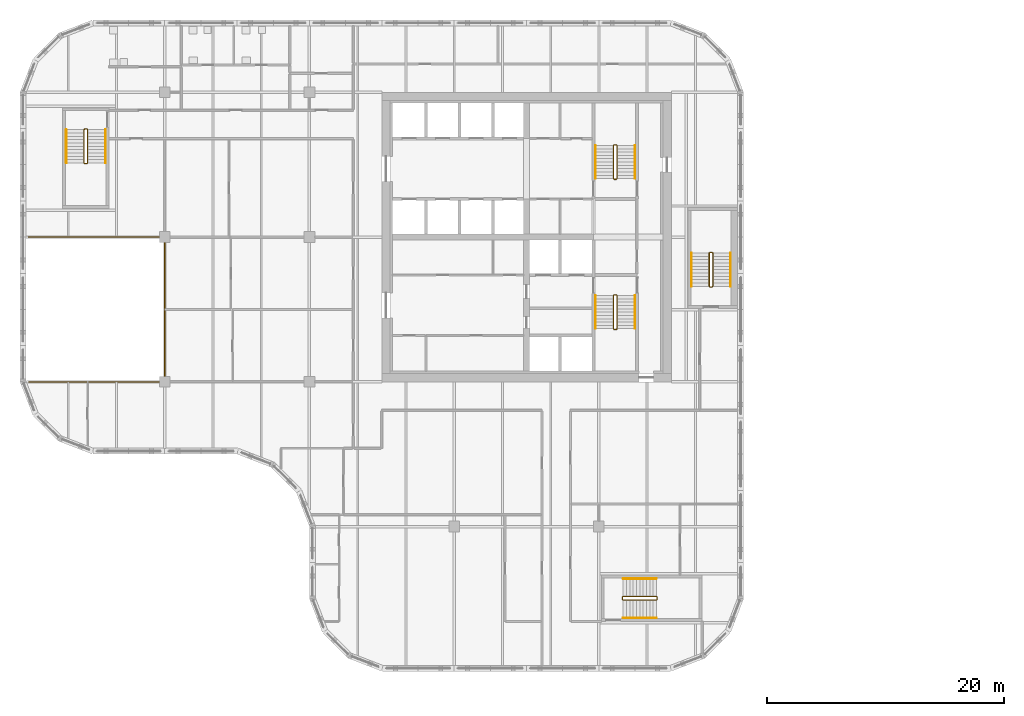
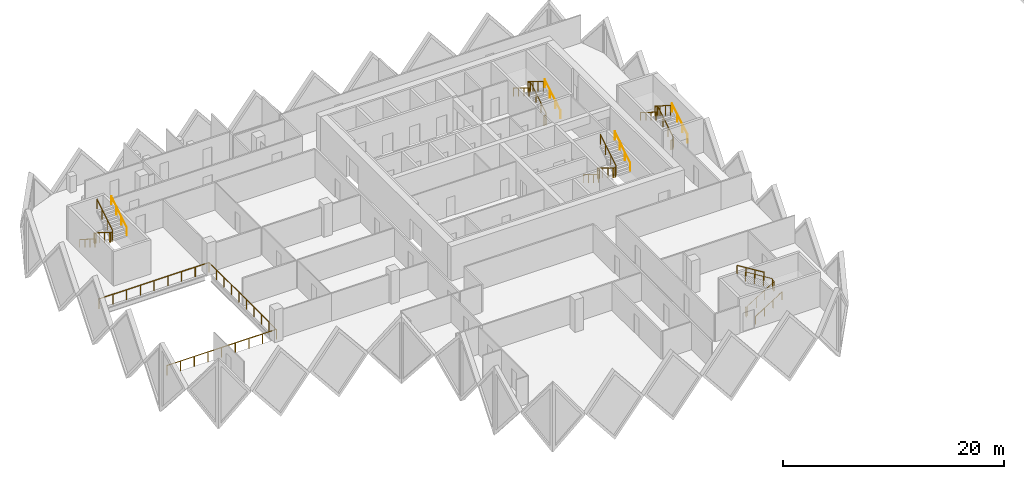
# One storey, part 12 of 13: 16 railings.
"""IFC4 building model written with IfcOpenShell, lengths in metres."""

from ifc_helpers import new_model, si_unit, direction, frame, origin, origin_2d, place, context, subcontext, project, spatial, circle, extrude, material, type_object, element, save


model = new_model("IFC4")

# Units and contexts
model_context = context("Model", 3, precision=1e-05, world=origin(), true_north=direction((0.0, 1.0)))
body_context = subcontext(model_context, "Body", "Model", "MODEL_VIEW")
ifc_project = project(units=[si_unit("LENGTHUNIT", "METRE"), si_unit("AREAUNIT", "SQUARE_METRE"), si_unit("VOLUMEUNIT", "CUBIC_METRE"), si_unit("PLANEANGLEUNIT", "RADIAN"), si_unit("MASSUNIT", "GRAM", prefix="KILO")], contexts=[model_context])

# Site, building, storey
site_placement = place(None, origin())
site = spatial("IfcSite", under=ifc_project, at=site_placement, CompositionType="ELEMENT")
building_placement = place(site_placement, origin())
building = spatial("IfcBuilding", under=site, at=building_placement, Name="Tessera Gate Towers", CompositionType="ELEMENT")
storey_placement = place(building_placement, frame((0.0, 0.0, 116.39990234375)))
storey = spatial("IfcBuildingStorey", under=building, at=storey_placement, Name="L28", CompositionType="ELEMENT", Elevation=116.39990234375)

# Railings
ifc_material_1 = material(Name="Toughened glass with stainless steel handrail", Category="steel")
railing_type_1 = type_object("IfcRailingType", Name="GUARD 1100 GLASS BALUSTRADE", PredefinedType="GUARDRAIL", material=ifc_material_1)
railing_1_placement = place(storey_placement, frame((0.750244140625, 24.39990234375, 0.0)))
element("IfcRailing", 1, at=railing_1_placement, inside=storey, type_object=railing_type_1, Name="Guard", PredefinedType="GUARDRAIL", context=body_context, shape_type="SweptSolid", body=[
    extrude(circle(Radius=0.02490234375, at=origin_2d()), frame((0.0, 0.0, 1.0751953125), z_axis=(1.0, 0.0, 0.0), x_axis=(0.0, 1.0, 0.0)), (0.0, 0.0, 1.0), 11.44970703125),
    extrude(circle(Radius=0.02490234375, at=origin_2d()), frame((11.44970703125, 0.0, 1.0751953125), z_axis=(0.0, 1.0, 0.0), x_axis=(-1.0, 0.0, 0.0)), (0.0, 0.0, 1.0), 12.2001953125),
    extrude(circle(Radius=0.02490234375, at=origin_2d()), frame((11.44970703125, 12.2001953125, 1.0751953125), z_axis=(-1.0, 0.0, 0.0), x_axis=(0.0, -1.0, 0.0)), (0.0, 0.0, 1.0), 11.5),
    extrude(circle(Radius=0.02490234375, at=origin_2d()), origin(), (0.0, 0.0, 1.0), 1.050048828125),
    extrude(circle(Radius=0.02490234375, at=origin_2d()), frame((1.43115234375, 0.0, 0.0)), (0.0, 0.0, 1.0), 1.050048828125),
    extrude(circle(Radius=0.02490234375, at=origin_2d()), frame((2.8623046875, 0.0, 0.0)), (0.0, 0.0, 1.0), 1.050048828125),
    extrude(circle(Radius=0.02490234375, at=origin_2d()), frame((4.293701171875, 0.0, 0.0)), (0.0, 0.0, 1.0), 1.050048828125),
    extrude(circle(Radius=0.02490234375, at=origin_2d()), frame((5.724853515625, 0.0, 0.0)), (0.0, 0.0, 1.0), 1.050048828125),
    extrude(circle(Radius=0.02490234375, at=origin_2d()), frame((7.156005859375, 0.0, 0.0)), (0.0, 0.0, 1.0), 1.050048828125),
    extrude(circle(Radius=0.02490234375, at=origin_2d()), frame((8.58740234375, 0.0, 0.0)), (0.0, 0.0, 1.0), 1.050048828125),
    extrude(circle(Radius=0.02490234375, at=origin_2d()), frame((10.0185546875, 0.0, 0.0)), (0.0, 0.0, 1.0), 1.050048828125),
    extrude(circle(Radius=0.02490234375, at=origin_2d()), frame((11.44970703125, 0.0, 0.0)), (0.0, 0.0, 1.0), 1.050048828125),
    extrude(circle(Radius=0.02490234375, at=origin_2d()), frame((11.44970703125, 1.35546875, 0.0)), (0.0, 0.0, 1.0), 1.050048828125),
    extrude(circle(Radius=0.02490234375, at=origin_2d()), frame((11.44970703125, 2.711181640625, 0.0)), (0.0, 0.0, 1.0), 1.050048828125),
    extrude(circle(Radius=0.02490234375, at=origin_2d()), frame((11.44970703125, 4.066650390625, 0.0)), (0.0, 0.0, 1.0), 1.050048828125),
    extrude(circle(Radius=0.02490234375, at=origin_2d()), frame((11.44970703125, 5.42236328125, 0.0)), (0.0, 0.0, 1.0), 1.050048828125),
    extrude(circle(Radius=0.02490234375, at=origin_2d()), frame((11.44970703125, 6.77783203125, 0.0)), (0.0, 0.0, 1.0), 1.050048828125),
    extrude(circle(Radius=0.02490234375, at=origin_2d()), frame((11.44970703125, 8.133544921875, 0.0)), (0.0, 0.0, 1.0), 1.050048828125),
    extrude(circle(Radius=0.02490234375, at=origin_2d()), frame((11.44970703125, 9.489013671875, 0.0)), (0.0, 0.0, 1.0), 1.050048828125),
    extrude(circle(Radius=0.02490234375, at=origin_2d()), frame((11.44970703125, 10.8447265625, 0.0)), (0.0, 0.0, 1.0), 1.050048828125),
    extrude(circle(Radius=0.02490234375, at=origin_2d()), frame((11.44970703125, 12.2001953125, 0.0)), (0.0, 0.0, 1.0), 1.050048828125),
    extrude(circle(Radius=0.02490234375, at=origin_2d()), frame((10.01220703125, 12.2001953125, 0.0)), (0.0, 0.0, 1.0), 1.050048828125),
    extrude(circle(Radius=0.02490234375, at=origin_2d()), frame((8.57470703125, 12.2001953125, 0.0)), (0.0, 0.0, 1.0), 1.050048828125),
    extrude(circle(Radius=0.02490234375, at=origin_2d()), frame((7.13720703125, 12.2001953125, 0.0)), (0.0, 0.0, 1.0), 1.050048828125),
    extrude(circle(Radius=0.02490234375, at=origin_2d()), frame((5.69970703125, 12.2001953125, 0.0)), (0.0, 0.0, 1.0), 1.050048828125),
    extrude(circle(Radius=0.02490234375, at=origin_2d()), frame((4.26220703125, 12.2001953125, 0.0)), (0.0, 0.0, 1.0), 1.050048828125),
    extrude(circle(Radius=0.02490234375, at=origin_2d()), frame((2.82470703125, 12.2001953125, 0.0)), (0.0, 0.0, 1.0), 1.050048828125),
    extrude(circle(Radius=0.02490234375, at=origin_2d()), frame((1.38720703125, 12.2001953125, 0.0)), (0.0, 0.0, 1.0), 1.050048828125),
    extrude(circle(Radius=0.02490234375, at=origin_2d()), frame((-0.05029296875, 12.2001953125, 0.0)), (0.0, 0.0, 1.0), 1.050048828125),
])
ifc_material_2 = material(Name="Steel 350W", Category="steel")
railing_type_2 = type_object("IfcRailingType", Name="STAIR GUARD 1100", PredefinedType="GUARDRAIL", material=ifc_material_2)
railing_2_placement = place(storey_placement, frame((50.27490234375, 31.72509765625, 0.0)))
element("IfcRailing", 2, at=railing_2_placement, inside=storey, type_object=railing_type_2, Name="L28 ST1 stair guard 1", PredefinedType="GUARDRAIL", context=body_context, shape_type="SweptSolid", body=[
    extrude(circle(Radius=0.02392578125, at=origin_2d()), frame((0.0, 0.0, 1.076171875), z_axis=(-1.0, 0.0, 0.0), x_axis=(0.0, -1.0, 0.0)), (0.0, 0.0, 1.0), 0.199951171875),
    extrude(circle(Radius=0.02392578125, at=origin_2d()), frame((-0.199951171875, 0.0, 1.076171875), z_axis=(-0.267953482034, -0.267953482034, 0.925419830635), x_axis=(0.707106781187, -0.707106781187, 0.0)), (0.0, 0.0, 1.0), 0.186767578125),
    extrude(circle(Radius=0.02392578125, at=origin_2d()), frame((-0.25, -0.050048828125, 1.2490234375), z_axis=(0.0, -0.851089632645, 0.525020415988), x_axis=(1.0, 0.0, 0.0)), (0.0, 0.0, 1.0), 3.2900390625),
    extrude(circle(Radius=0.02392578125, at=origin_2d()), frame((-0.25, -2.85009765625, 2.97607421875), z_axis=(0.707106781187, -0.707106781187, 0.0), x_axis=(0.707106781187, 0.707106781187, 0.0)), (0.0, 0.0, 1.0), 0.07080078125),
    extrude(circle(Radius=0.02392578125, at=origin_2d()), frame((-0.199951171875, -2.900146484375, 2.97607421875), z_axis=(1.0, 0.0, 0.0), x_axis=(0.0, 1.0, 0.0)), (0.0, 0.0, 1.0), 0.199951171875),
    extrude(circle(Radius=0.02392578125, at=origin_2d()), frame((0.0, -2.900146484375, 2.97607421875), z_axis=(0.268277960024, 0.268277960024, 0.925231793839), x_axis=(-0.707106781187, 0.707106781187, 0.0)), (0.0, 0.0, 1.0), 0.1865234375),
    extrude(circle(Radius=0.02392578125, at=origin_2d()), frame((0.050048828125, -2.85009765625, 3.14892578125), z_axis=(0.0, 0.851089632645, 0.525020415988), x_axis=(-1.0, 0.0, 0.0)), (0.0, 0.0, 1.0), 3.2900390625),
    extrude(circle(Radius=0.02099609375, at=origin_2d()), origin(), (0.0, 0.0, 1.0), 1.052001953125),
    extrude(circle(Radius=0.02099609375, at=origin_2d()), frame((-0.199951171875, 0.0, 0.0)), (0.0, 0.0, 1.0), 1.052001953125),
    extrude(circle(Radius=0.02099609375, at=origin_2d()), frame((-0.25, -0.050048828125, 0.1728515625)), (0.0, 0.0, 1.0), 1.052001953125),
    extrude(circle(Radius=0.02099609375, at=origin_2d()), frame((-0.25, -0.9833984375, 0.74853515625)), (0.0, 0.0, 1.0), 1.052001953125),
    extrude(circle(Radius=0.02099609375, at=origin_2d()), frame((-0.25, -1.916748046875, 1.324462890625)), (0.0, 0.0, 1.0), 1.052001953125),
    extrude(circle(Radius=0.02099609375, at=origin_2d()), frame((-0.25, -2.85009765625, 1.900146484375)), (0.0, 0.0, 1.0), 1.052001953125),
    extrude(circle(Radius=0.02099609375, at=origin_2d()), frame((-0.199951171875, -2.900146484375, 1.900146484375)), (0.0, 0.0, 1.0), 1.052001953125),
    extrude(circle(Radius=0.02099609375, at=origin_2d()), frame((0.0, -2.900146484375, 1.900146484375)), (0.0, 0.0, 1.0), 1.052001953125),
    extrude(circle(Radius=0.02099609375, at=origin_2d()), frame((0.050048828125, -2.85009765625, 2.07275390625)), (0.0, 0.0, 1.0), 1.052001953125),
    extrude(circle(Radius=0.02099609375, at=origin_2d()), frame((0.050048828125, -1.916748046875, 2.6484375)), (0.0, 0.0, 1.0), 1.052001953125),
    extrude(circle(Radius=0.02099609375, at=origin_2d()), frame((0.050048828125, -0.9833984375, 3.224365234375)), (0.0, 0.0, 1.0), 1.052001953125),
    extrude(circle(Radius=0.02099609375, at=origin_2d()), frame((0.050048828125, -0.050048828125, 3.800048828125)), (0.0, 0.0, 1.0), 1.052001953125),
])
railing_3_placement = place(storey_placement, frame((50.074951171875, 41.47509765625, 0.0)))
element("IfcRailing", 3, at=railing_3_placement, inside=storey, type_object=railing_type_2, Name="L28 ST2 stair guard 1", PredefinedType="GUARDRAIL", context=body_context, shape_type="SweptSolid", body=[
    extrude(circle(Radius=0.02392578125, at=origin_2d()), frame((0.0, 0.0, 1.076171875), z_axis=(1.0, 0.0, 0.0), x_axis=(0.0, 1.0, 0.0)), (0.0, 0.0, 1.0), 0.199951171875),
    extrude(circle(Radius=0.02392578125, at=origin_2d()), frame((0.199951171875, 0.0, 1.076171875), z_axis=(0.268047150085, 0.266739603011, 0.925743328097), x_axis=(-0.705375805398, 0.708833529934, 0.0)), (0.0, 0.0, 1.0), 0.186767578125),
    extrude(circle(Radius=0.02392578125, at=origin_2d()), frame((0.25, 0.0498046875, 1.2490234375), z_axis=(0.0, 0.851089632645, 0.525020415988), x_axis=(-1.0, 0.0, 0.0)), (0.0, 0.0, 1.0), 3.2900390625),
    extrude(circle(Radius=0.02392578125, at=origin_2d()), frame((0.25, 2.849853515625, 2.97607421875), z_axis=(-0.707106781187, 0.707106781187, 0.0), x_axis=(-0.707106781187, -0.707106781187, 0.0)), (0.0, 0.0, 1.0), 0.07080078125),
    extrude(circle(Radius=0.02392578125, at=origin_2d()), frame((0.199951171875, 2.89990234375, 2.97607421875), z_axis=(-1.0, 0.0, 0.0), x_axis=(0.0, -1.0, 0.0)), (0.0, 0.0, 1.0), 0.199951171875),
    extrude(circle(Radius=0.02392578125, at=origin_2d()), frame((0.0, 2.89990234375, 2.97607421875), z_axis=(-0.268277960024, -0.268277960024, 0.925231793839), x_axis=(0.707106781187, -0.707106781187, 0.0)), (0.0, 0.0, 1.0), 0.1865234375),
    extrude(circle(Radius=0.02392578125, at=origin_2d()), frame((-0.050048828125, 2.849853515625, 3.14892578125), z_axis=(0.0, -0.851089632645, 0.525020415988), x_axis=(1.0, 0.0, 0.0)), (0.0, 0.0, 1.0), 3.2900390625),
    extrude(circle(Radius=0.02099609375, at=origin_2d()), origin(), (0.0, 0.0, 1.0), 1.052001953125),
    extrude(circle(Radius=0.02099609375, at=origin_2d()), frame((0.199951171875, 0.0, 0.0)), (0.0, 0.0, 1.0), 1.052001953125),
    extrude(circle(Radius=0.02099609375, at=origin_2d()), frame((0.25, 0.0498046875, 0.1728515625)), (0.0, 0.0, 1.0), 1.052001953125),
    extrude(circle(Radius=0.02099609375, at=origin_2d()), frame((0.25, 0.983154296875, 0.74853515625)), (0.0, 0.0, 1.0), 1.052001953125),
    extrude(circle(Radius=0.02099609375, at=origin_2d()), frame((0.25, 1.91650390625, 1.324462890625)), (0.0, 0.0, 1.0), 1.052001953125),
    extrude(circle(Radius=0.02099609375, at=origin_2d()), frame((0.25, 2.849853515625, 1.900146484375)), (0.0, 0.0, 1.0), 1.052001953125),
    extrude(circle(Radius=0.02099609375, at=origin_2d()), frame((0.199951171875, 2.89990234375, 1.900146484375)), (0.0, 0.0, 1.0), 1.052001953125),
    extrude(circle(Radius=0.02099609375, at=origin_2d()), frame((0.0, 2.89990234375, 1.900146484375)), (0.0, 0.0, 1.0), 1.052001953125),
    extrude(circle(Radius=0.02099609375, at=origin_2d()), frame((-0.050048828125, 2.849853515625, 2.07275390625)), (0.0, 0.0, 1.0), 1.052001953125),
    extrude(circle(Radius=0.02099609375, at=origin_2d()), frame((-0.050048828125, 1.91650390625, 2.6484375)), (0.0, 0.0, 1.0), 1.052001953125),
    extrude(circle(Radius=0.02099609375, at=origin_2d()), frame((-0.050048828125, 0.983154296875, 3.224365234375)), (0.0, 0.0, 1.0), 1.052001953125),
    extrude(circle(Radius=0.02099609375, at=origin_2d()), frame((-0.050048828125, 0.0498046875, 3.800048828125)), (0.0, 0.0, 1.0), 1.052001953125),
])
railing_4_placement = place(storey_placement, frame((5.64990234375, 45.699951171875, 0.0)))
element("IfcRailing", 4, at=railing_4_placement, inside=storey, type_object=railing_type_2, Name="L28 ST3 stair guard 1", PredefinedType="GUARDRAIL", context=body_context, shape_type="SweptSolid", body=[
    extrude(circle(Radius=0.02392578125, at=origin_2d()), frame((0.0, 0.0, 1.076171875), z_axis=(-1.0, 0.0, 0.0), x_axis=(0.0, -1.0, 0.0)), (0.0, 0.0, 1.0), 0.199951171875),
    extrude(circle(Radius=0.02392578125, at=origin_2d()), frame((-0.199951171875, 0.0, 1.076171875), z_axis=(-0.267953482034, -0.267953482034, 0.925419830635), x_axis=(0.707106781187, -0.707106781187, 0.0)), (0.0, 0.0, 1.0), 0.186767578125),
    extrude(circle(Radius=0.02392578125, at=origin_2d()), frame((-0.25, -0.050048828125, 1.2490234375), z_axis=(0.0, -0.851069175582, 0.525053576669), x_axis=(1.0, 0.0, 0.0)), (0.0, 0.0, 1.0), 3.289794921875),
    extrude(circle(Radius=0.02392578125, at=origin_2d()), frame((-0.25, -2.849853515625, 2.97607421875), z_axis=(0.707106781187, -0.707106781187, 0.0), x_axis=(0.707106781187, 0.707106781187, 0.0)), (0.0, 0.0, 1.0), 0.07080078125),
    extrude(circle(Radius=0.02392578125, at=origin_2d()), frame((-0.199951171875, -2.89990234375, 2.97607421875), z_axis=(1.0, 0.0, 0.0), x_axis=(0.0, 1.0, 0.0)), (0.0, 0.0, 1.0), 0.199951171875),
    extrude(circle(Radius=0.02392578125, at=origin_2d()), frame((0.0, -2.89990234375, 2.97607421875), z_axis=(0.268277960024, 0.268277960024, 0.925231793839), x_axis=(-0.707106781187, 0.707106781187, 0.0)), (0.0, 0.0, 1.0), 0.1865234375),
    extrude(circle(Radius=0.02392578125, at=origin_2d()), frame((0.050048828125, -2.849853515625, 3.14892578125), z_axis=(0.0, 0.851069175582, 0.525053576669), x_axis=(-1.0, 0.0, 0.0)), (0.0, 0.0, 1.0), 3.289794921875),
    extrude(circle(Radius=0.02099609375, at=origin_2d()), origin(), (0.0, 0.0, 1.0), 1.052001953125),
    extrude(circle(Radius=0.02099609375, at=origin_2d()), frame((-0.199951171875, 0.0, 0.0)), (0.0, 0.0, 1.0), 1.052001953125),
    extrude(circle(Radius=0.02099609375, at=origin_2d()), frame((-0.25, -0.050048828125, 0.1728515625)), (0.0, 0.0, 1.0), 1.052001953125),
    extrude(circle(Radius=0.02099609375, at=origin_2d()), frame((-0.25, -0.9833984375, 0.74853515625)), (0.0, 0.0, 1.0), 1.052001953125),
    extrude(circle(Radius=0.02099609375, at=origin_2d()), frame((-0.25, -1.91650390625, 1.324462890625)), (0.0, 0.0, 1.0), 1.052001953125),
    extrude(circle(Radius=0.02099609375, at=origin_2d()), frame((-0.25, -2.849853515625, 1.900146484375)), (0.0, 0.0, 1.0), 1.052001953125),
    extrude(circle(Radius=0.02099609375, at=origin_2d()), frame((-0.199951171875, -2.89990234375, 1.900146484375)), (0.0, 0.0, 1.0), 1.052001953125),
    extrude(circle(Radius=0.02099609375, at=origin_2d()), frame((0.0, -2.89990234375, 1.900146484375)), (0.0, 0.0, 1.0), 1.052001953125),
    extrude(circle(Radius=0.02099609375, at=origin_2d()), frame((0.050048828125, -2.849853515625, 2.07275390625)), (0.0, 0.0, 1.0), 1.052001953125),
    extrude(circle(Radius=0.02099609375, at=origin_2d()), frame((0.050048828125, -1.91650390625, 2.6484375)), (0.0, 0.0, 1.0), 1.052001953125),
    extrude(circle(Radius=0.02099609375, at=origin_2d()), frame((0.050048828125, -0.9833984375, 3.224365234375)), (0.0, 0.0, 1.0), 1.052001953125),
    extrude(circle(Radius=0.02099609375, at=origin_2d()), frame((0.050048828125, -0.050048828125, 3.800048828125)), (0.0, 0.0, 1.0), 1.052001953125),
])
railing_5_placement = place(storey_placement, frame((50.800048828125, 6.25, 0.0)))
element("IfcRailing", 5, at=railing_5_placement, inside=storey, type_object=railing_type_2, Name="L28 ST4 stair guard 1", PredefinedType="GUARDRAIL", context=body_context, shape_type="SweptSolid", body=[
    extrude(circle(Radius=0.02392578125, at=origin_2d()), frame((0.0, 0.0, 1.076171875), z_axis=(0.0, -1.0, 0.0), x_axis=(1.0, 0.0, 0.0)), (0.0, 0.0, 1.0), 0.199951171875),
    extrude(circle(Radius=0.02392578125, at=origin_2d()), frame((0.0, -0.199951171875, 1.076171875), z_axis=(0.267953482034, -0.267953482034, 0.925419830635), x_axis=(0.707106781187, 0.707106781187, 0.0)), (0.0, 0.0, 1.0), 0.186767578125),
    extrude(circle(Radius=0.02392578125, at=origin_2d()), frame((0.050048828125, -0.25, 1.2490234375), z_axis=(0.851069175582, 0.0, 0.525053576669), x_axis=(0.0, 1.0, 0.0)), (0.0, 0.0, 1.0), 3.289794921875),
    extrude(circle(Radius=0.02392578125, at=origin_2d()), frame((2.849853515625, -0.25, 2.97607421875), z_axis=(0.707106781187, 0.707106781187, 0.0), x_axis=(-0.707106781187, 0.707106781187, 0.0)), (0.0, 0.0, 1.0), 0.07080078125),
    extrude(circle(Radius=0.02392578125, at=origin_2d()), frame((2.89990234375, -0.199951171875, 2.97607421875), z_axis=(0.0, 1.0, 0.0), x_axis=(-1.0, 0.0, 0.0)), (0.0, 0.0, 1.0), 0.199951171875),
    extrude(circle(Radius=0.02392578125, at=origin_2d()), frame((2.89990234375, 0.0, 2.97607421875), z_axis=(-0.268277960024, 0.268277960024, 0.925231793839), x_axis=(-0.707106781187, -0.707106781187, 0.0)), (0.0, 0.0, 1.0), 0.1865234375),
    extrude(circle(Radius=0.02392578125, at=origin_2d()), frame((2.849853515625, 0.050048828125, 3.14892578125), z_axis=(-0.851069175582, 0.0, 0.525053576669), x_axis=(0.0, -1.0, 0.0)), (0.0, 0.0, 1.0), 3.289794921875),
    extrude(circle(Radius=0.02099609375, at=origin_2d()), origin(), (0.0, 0.0, 1.0), 1.052001953125),
    extrude(circle(Radius=0.02099609375, at=origin_2d()), frame((0.0, -0.199951171875, 0.0)), (0.0, 0.0, 1.0), 1.052001953125),
    extrude(circle(Radius=0.02099609375, at=origin_2d()), frame((0.050048828125, -0.25, 0.1728515625)), (0.0, 0.0, 1.0), 1.052001953125),
    extrude(circle(Radius=0.02099609375, at=origin_2d()), frame((0.9833984375, -0.25, 0.74853515625)), (0.0, 0.0, 1.0), 1.052001953125),
    extrude(circle(Radius=0.02099609375, at=origin_2d()), frame((1.91650390625, -0.25, 1.324462890625)), (0.0, 0.0, 1.0), 1.052001953125),
    extrude(circle(Radius=0.02099609375, at=origin_2d()), frame((2.849853515625, -0.25, 1.900146484375)), (0.0, 0.0, 1.0), 1.052001953125),
    extrude(circle(Radius=0.02099609375, at=origin_2d()), frame((2.89990234375, -0.199951171875, 1.900146484375)), (0.0, 0.0, 1.0), 1.052001953125),
    extrude(circle(Radius=0.02099609375, at=origin_2d()), frame((2.89990234375, 0.0, 1.900146484375)), (0.0, 0.0, 1.0), 1.052001953125),
    extrude(circle(Radius=0.02099609375, at=origin_2d()), frame((2.849853515625, 0.050048828125, 2.07275390625)), (0.0, 0.0, 1.0), 1.052001953125),
    extrude(circle(Radius=0.02099609375, at=origin_2d()), frame((1.91650390625, 0.050048828125, 2.6484375)), (0.0, 0.0, 1.0), 1.052001953125),
    extrude(circle(Radius=0.02099609375, at=origin_2d()), frame((0.9833984375, 0.050048828125, 3.224365234375)), (0.0, 0.0, 1.0), 1.052001953125),
    extrude(circle(Radius=0.02099609375, at=origin_2d()), frame((0.050048828125, 0.050048828125, 3.800048828125)), (0.0, 0.0, 1.0), 1.052001953125),
])
railing_6_placement = place(storey_placement, frame((58.14990234375, 32.39990234375, 0.0)))
element("IfcRailing", 6, at=railing_6_placement, inside=storey, type_object=railing_type_2, Name="L28 ST5 stair guard 1", PredefinedType="GUARDRAIL", context=body_context, shape_type="SweptSolid", body=[
    extrude(circle(Radius=0.02392578125, at=origin_2d()), frame((0.0, 0.0, 1.076171875), z_axis=(1.0, 0.0, 0.0), x_axis=(0.0, 1.0, 0.0)), (0.0, 0.0, 1.0), 0.2001953125),
    extrude(circle(Radius=0.02392578125, at=origin_2d()), frame((0.2001953125, 0.0, 1.076171875), z_axis=(0.266739603011, 0.268047150085, 0.925743328097), x_axis=(-0.708833529934, 0.705375805398, 0.0)), (0.0, 0.0, 1.0), 0.186767578125),
    extrude(circle(Radius=0.02392578125, at=origin_2d()), frame((0.25, 0.050048828125, 1.2490234375), z_axis=(0.0, 0.851089632645, 0.525020415988), x_axis=(-1.0, 0.0, 0.0)), (0.0, 0.0, 1.0), 3.2900390625),
    extrude(circle(Radius=0.02392578125, at=origin_2d()), frame((0.25, 2.85009765625, 2.97607421875), z_axis=(-0.705375805398, 0.708833529934, 0.0), x_axis=(-0.708833529934, -0.705375805398, 0.0)), (0.0, 0.0, 1.0), 0.070556640625),
    extrude(circle(Radius=0.02392578125, at=origin_2d()), frame((0.2001953125, 2.900146484375, 2.97607421875), z_axis=(-1.0, 0.0, 0.0), x_axis=(0.0, -1.0, 0.0)), (0.0, 0.0, 1.0), 0.2001953125),
    extrude(circle(Radius=0.02392578125, at=origin_2d()), frame((0.0, 2.900146484375, 2.97607421875), z_axis=(-0.267062837333, -0.268371968888, 0.925556009775), x_axis=(0.708833529934, -0.705375805398, 0.0)), (0.0, 0.0, 1.0), 0.1865234375),
    extrude(circle(Radius=0.02392578125, at=origin_2d()), frame((-0.0498046875, 2.85009765625, 3.14892578125), z_axis=(0.0, -0.851089632645, 0.525020415988), x_axis=(1.0, 0.0, 0.0)), (0.0, 0.0, 1.0), 3.2900390625),
    extrude(circle(Radius=0.02099609375, at=origin_2d()), origin(), (0.0, 0.0, 1.0), 1.052001953125),
    extrude(circle(Radius=0.02099609375, at=origin_2d()), frame((0.2001953125, 0.0, 0.0)), (0.0, 0.0, 1.0), 1.052001953125),
    extrude(circle(Radius=0.02099609375, at=origin_2d()), frame((0.25, 0.050048828125, 0.1728515625)), (0.0, 0.0, 1.0), 1.052001953125),
    extrude(circle(Radius=0.02099609375, at=origin_2d()), frame((0.25, 0.9833984375, 0.74853515625)), (0.0, 0.0, 1.0), 1.052001953125),
    extrude(circle(Radius=0.02099609375, at=origin_2d()), frame((0.25, 1.916748046875, 1.324462890625)), (0.0, 0.0, 1.0), 1.052001953125),
    extrude(circle(Radius=0.02099609375, at=origin_2d()), frame((0.25, 2.85009765625, 1.900146484375)), (0.0, 0.0, 1.0), 1.052001953125),
    extrude(circle(Radius=0.02099609375, at=origin_2d()), frame((0.2001953125, 2.900146484375, 1.900146484375)), (0.0, 0.0, 1.0), 1.052001953125),
    extrude(circle(Radius=0.02099609375, at=origin_2d()), frame((0.0, 2.900146484375, 1.900146484375)), (0.0, 0.0, 1.0), 1.052001953125),
    extrude(circle(Radius=0.02099609375, at=origin_2d()), frame((-0.0498046875, 2.85009765625, 2.07275390625)), (0.0, 0.0, 1.0), 1.052001953125),
    extrude(circle(Radius=0.02099609375, at=origin_2d()), frame((-0.0498046875, 1.916748046875, 2.6484375)), (0.0, 0.0, 1.0), 1.052001953125),
    extrude(circle(Radius=0.02099609375, at=origin_2d()), frame((-0.0498046875, 0.9833984375, 3.224365234375)), (0.0, 0.0, 1.0), 1.052001953125),
    extrude(circle(Radius=0.02099609375, at=origin_2d()), frame((-0.0498046875, 0.050048828125, 3.800048828125)), (0.0, 0.0, 1.0), 1.052001953125),
])
ifc_material_3 = material(Name="Steel 350W", Category="steel")
railing_type_3 = type_object("IfcRailingType", Name="STAIR HANDRAIL 900", PredefinedType="HANDRAIL", material=ifc_material_3)
railing_7_placement = place(storey_placement, frame((48.52490234375, 31.675048828125, 0.1728515625)))
element("IfcRailing", 7, at=railing_7_placement, inside=storey, type_object=railing_type_3, Name="L28 ST1 stair handrail 1", PredefinedType="HANDRAIL", context=body_context, shape_type="SweptSolid", body=[
    extrude(circle(Radius=0.02392578125, at=origin_2d()), frame((0.0, 0.0, 0.8759765625), z_axis=(0.0, -0.851089632645, 0.525020415988), x_axis=(1.0, 0.0, 0.0)), (0.0, 0.0, 1.0), 3.2900390625),
    extrude(circle(Radius=0.02099609375, at=origin_2d()), origin(), (0.0, 0.0, 1.0), 0.851806640625),
    extrude(circle(Radius=0.02099609375, at=origin_2d()), frame((0.0, -0.933349609375, 0.57568359375)), (0.0, 0.0, 1.0), 0.851806640625),
    extrude(circle(Radius=0.02099609375, at=origin_2d()), frame((0.0, -1.86669921875, 1.151611328125)), (0.0, 0.0, 1.0), 0.851806640625),
    extrude(circle(Radius=0.02099609375, at=origin_2d()), frame((0.0, -2.800048828125, 1.727294921875)), (0.0, 0.0, 1.0), 0.851806640625),
])
for number, where, name in (
    (8, (51.824951171875, 28.875, 2.07275390625), "L28 ST1 stair handrail 2"),
    (9, (51.824951171875, 41.52490234375, 0.1728515625), "L28 ST2 stair handrail 1"),
):
    element("IfcRailing", number, at=place(storey_placement, frame(where)), inside=storey, type_object=railing_type_3, Name=name, PredefinedType="HANDRAIL", context=body_context, shape_type="SweptSolid", body=[
        extrude(circle(Radius=0.02392578125, at=origin_2d()), frame((0.0, 0.0, 0.8759765625), z_axis=(0.0, 0.851089632645, 0.525020415988), x_axis=(-1.0, 0.0, 0.0)), (0.0, 0.0, 1.0), 3.2900390625),
        extrude(circle(Radius=0.02099609375, at=origin_2d()), origin(), (0.0, 0.0, 1.0), 0.851806640625),
        extrude(circle(Radius=0.02099609375, at=origin_2d()), frame((0.0, 0.933349609375, 0.57568359375)), (0.0, 0.0, 1.0), 0.851806640625),
        extrude(circle(Radius=0.02099609375, at=origin_2d()), frame((0.0, 1.86669921875, 1.151611328125)), (0.0, 0.0, 1.0), 0.851806640625),
        extrude(circle(Radius=0.02099609375, at=origin_2d()), frame((0.0, 2.800048828125, 1.727294921875)), (0.0, 0.0, 1.0), 0.851806640625),
    ])
railing_8_placement = place(storey_placement, frame((48.52490234375, 44.324951171875, 2.07275390625)))
element("IfcRailing", 10, at=railing_8_placement, inside=storey, type_object=railing_type_3, Name="L28 ST2 stair handrail 2", PredefinedType="HANDRAIL", context=body_context, shape_type="SweptSolid", body=[
    extrude(circle(Radius=0.02392578125, at=origin_2d()), frame((0.0, 0.0, 0.8759765625), z_axis=(0.0, -0.851089632645, 0.525020415988), x_axis=(1.0, 0.0, 0.0)), (0.0, 0.0, 1.0), 3.2900390625),
    extrude(circle(Radius=0.02099609375, at=origin_2d()), origin(), (0.0, 0.0, 1.0), 0.851806640625),
    extrude(circle(Radius=0.02099609375, at=origin_2d()), frame((0.0, -0.933349609375, 0.57568359375)), (0.0, 0.0, 1.0), 0.851806640625),
    extrude(circle(Radius=0.02099609375, at=origin_2d()), frame((0.0, -1.86669921875, 1.151611328125)), (0.0, 0.0, 1.0), 0.851806640625),
    extrude(circle(Radius=0.02099609375, at=origin_2d()), frame((0.0, -2.800048828125, 1.727294921875)), (0.0, 0.0, 1.0), 0.851806640625),
])
railing_9_placement = place(storey_placement, frame((3.89990234375, 45.64990234375, 0.1728515625)))
element("IfcRailing", 11, at=railing_9_placement, inside=storey, type_object=railing_type_3, Name="L28 ST3 stair handrail 1", PredefinedType="HANDRAIL", context=body_context, shape_type="SweptSolid", body=[
    extrude(circle(Radius=0.02392578125, at=origin_2d()), frame((0.0, 0.0, 0.8759765625), z_axis=(0.0, -0.851069175582, 0.525053576669), x_axis=(1.0, 0.0, 0.0)), (0.0, 0.0, 1.0), 3.289794921875),
    extrude(circle(Radius=0.02099609375, at=origin_2d()), origin(), (0.0, 0.0, 1.0), 0.851806640625),
    extrude(circle(Radius=0.02099609375, at=origin_2d()), frame((0.0, -0.933349609375, 0.57568359375)), (0.0, 0.0, 1.0), 0.851806640625),
    extrude(circle(Radius=0.02099609375, at=origin_2d()), frame((0.0, -1.866455078125, 1.151611328125)), (0.0, 0.0, 1.0), 0.851806640625),
    extrude(circle(Radius=0.02099609375, at=origin_2d()), frame((0.0, -2.7998046875, 1.727294921875)), (0.0, 0.0, 1.0), 0.851806640625),
])
railing_10_placement = place(storey_placement, frame((7.199951171875, 42.85009765625, 2.07275390625)))
element("IfcRailing", 12, at=railing_10_placement, inside=storey, type_object=railing_type_3, Name="L28 ST3 stair handrail 2", PredefinedType="HANDRAIL", context=body_context, shape_type="SweptSolid", body=[
    extrude(circle(Radius=0.02392578125, at=origin_2d()), frame((0.0, 0.0, 0.8759765625), z_axis=(0.0, 0.851069175582, 0.525053576669), x_axis=(-1.0, 0.0, 0.0)), (0.0, 0.0, 1.0), 3.289794921875),
    extrude(circle(Radius=0.02099609375, at=origin_2d()), origin(), (0.0, 0.0, 1.0), 0.851806640625),
    extrude(circle(Radius=0.02099609375, at=origin_2d()), frame((0.0, 0.933349609375, 0.57568359375)), (0.0, 0.0, 1.0), 0.851806640625),
    extrude(circle(Radius=0.02099609375, at=origin_2d()), frame((0.0, 1.866455078125, 1.151611328125)), (0.0, 0.0, 1.0), 0.851806640625),
    extrude(circle(Radius=0.02099609375, at=origin_2d()), frame((0.0, 2.7998046875, 1.727294921875)), (0.0, 0.0, 1.0), 0.851806640625),
])
railing_11_placement = place(storey_placement, frame((50.85009765625, 4.5, 0.1728515625)))
element("IfcRailing", 13, at=railing_11_placement, inside=storey, type_object=railing_type_3, Name="L28 ST4 stair handrail 1", PredefinedType="HANDRAIL", context=body_context, shape_type="SweptSolid", body=[
    extrude(circle(Radius=0.02392578125, at=origin_2d()), frame((0.0, 0.0, 0.8759765625), z_axis=(0.851069175582, 0.0, 0.525053576669), x_axis=(0.0, 1.0, 0.0)), (0.0, 0.0, 1.0), 3.289794921875),
    extrude(circle(Radius=0.02099609375, at=origin_2d()), origin(), (0.0, 0.0, 1.0), 0.851806640625),
    extrude(circle(Radius=0.02099609375, at=origin_2d()), frame((0.933349609375, 0.0, 0.57568359375)), (0.0, 0.0, 1.0), 0.851806640625),
    extrude(circle(Radius=0.02099609375, at=origin_2d()), frame((1.866455078125, 0.0, 1.151611328125)), (0.0, 0.0, 1.0), 0.851806640625),
    extrude(circle(Radius=0.02099609375, at=origin_2d()), frame((2.7998046875, 0.0, 1.727294921875)), (0.0, 0.0, 1.0), 0.851806640625),
])
railing_12_placement = place(storey_placement, frame((53.64990234375, 7.800048828125, 2.07275390625)))
element("IfcRailing", 14, at=railing_12_placement, inside=storey, type_object=railing_type_3, Name="L28 ST4 stair handrail 2", PredefinedType="HANDRAIL", context=body_context, shape_type="SweptSolid", body=[
    extrude(circle(Radius=0.02392578125, at=origin_2d()), frame((0.0, 0.0, 0.8759765625), z_axis=(-0.851069175582, 0.0, 0.525053576669), x_axis=(0.0, -1.0, 0.0)), (0.0, 0.0, 1.0), 3.289794921875),
    extrude(circle(Radius=0.02099609375, at=origin_2d()), origin(), (0.0, 0.0, 1.0), 0.851806640625),
    extrude(circle(Radius=0.02099609375, at=origin_2d()), frame((-0.933349609375, 0.0, 0.57568359375)), (0.0, 0.0, 1.0), 0.851806640625),
    extrude(circle(Radius=0.02099609375, at=origin_2d()), frame((-1.866455078125, 0.0, 1.151611328125)), (0.0, 0.0, 1.0), 0.851806640625),
    extrude(circle(Radius=0.02099609375, at=origin_2d()), frame((-2.7998046875, 0.0, 1.727294921875)), (0.0, 0.0, 1.0), 0.851806640625),
])
railing_13_placement = place(storey_placement, frame((59.89990234375, 32.449951171875, 0.1728515625)))
element("IfcRailing", 15, at=railing_13_placement, inside=storey, type_object=railing_type_3, Name="L28 ST5 stair handrail 1", PredefinedType="HANDRAIL", context=body_context, shape_type="SweptSolid", body=[
    extrude(circle(Radius=0.02392578125, at=origin_2d()), frame((0.0, 0.0, 0.8759765625), z_axis=(0.0, 0.851089632645, 0.525020415988), x_axis=(-1.0, 0.0, 0.0)), (0.0, 0.0, 1.0), 3.2900390625),
    extrude(circle(Radius=0.02099609375, at=origin_2d()), origin(), (0.0, 0.0, 1.0), 0.851806640625),
    extrude(circle(Radius=0.02099609375, at=origin_2d()), frame((0.0, 0.933349609375, 0.57568359375)), (0.0, 0.0, 1.0), 0.851806640625),
    extrude(circle(Radius=0.02099609375, at=origin_2d()), frame((0.0, 1.86669921875, 1.151611328125)), (0.0, 0.0, 1.0), 0.851806640625),
    extrude(circle(Radius=0.02099609375, at=origin_2d()), frame((0.0, 2.800048828125, 1.727294921875)), (0.0, 0.0, 1.0), 0.851806640625),
])
railing_14_placement = place(storey_placement, frame((56.60009765625, 35.25, 2.07275390625)))
element("IfcRailing", 16, at=railing_14_placement, inside=storey, type_object=railing_type_3, Name="L28 ST5 stair handrail 2", PredefinedType="HANDRAIL", context=body_context, shape_type="SweptSolid", body=[
    extrude(circle(Radius=0.02392578125, at=origin_2d()), frame((0.0, 0.0, 0.8759765625), z_axis=(0.0, -0.851089632645, 0.525020415988), x_axis=(1.0, 0.0, 0.0)), (0.0, 0.0, 1.0), 3.2900390625),
    extrude(circle(Radius=0.02099609375, at=origin_2d()), origin(), (0.0, 0.0, 1.0), 0.851806640625),
    extrude(circle(Radius=0.02099609375, at=origin_2d()), frame((0.0, -0.933349609375, 0.57568359375)), (0.0, 0.0, 1.0), 0.851806640625),
    extrude(circle(Radius=0.02099609375, at=origin_2d()), frame((0.0, -1.86669921875, 1.151611328125)), (0.0, 0.0, 1.0), 0.851806640625),
    extrude(circle(Radius=0.02099609375, at=origin_2d()), frame((0.0, -2.800048828125, 1.727294921875)), (0.0, 0.0, 1.0), 0.851806640625),
])

save(model, "model.ifc")
